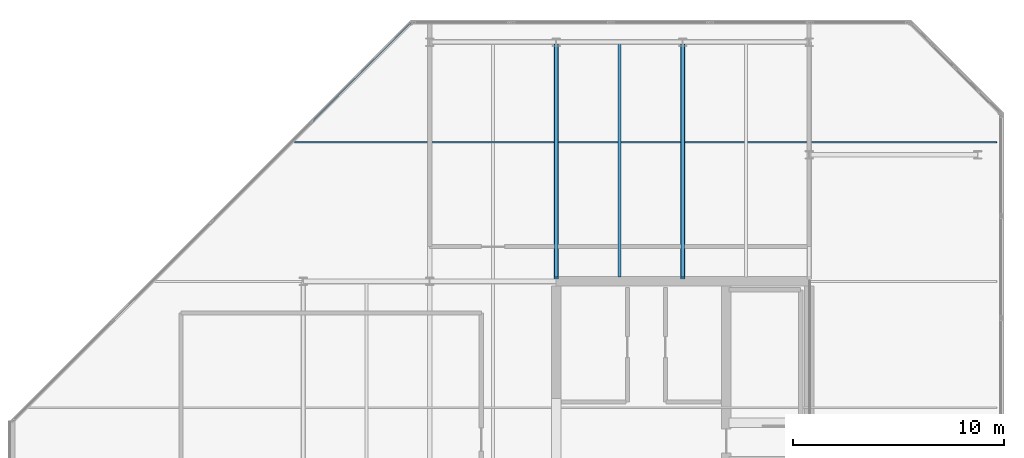
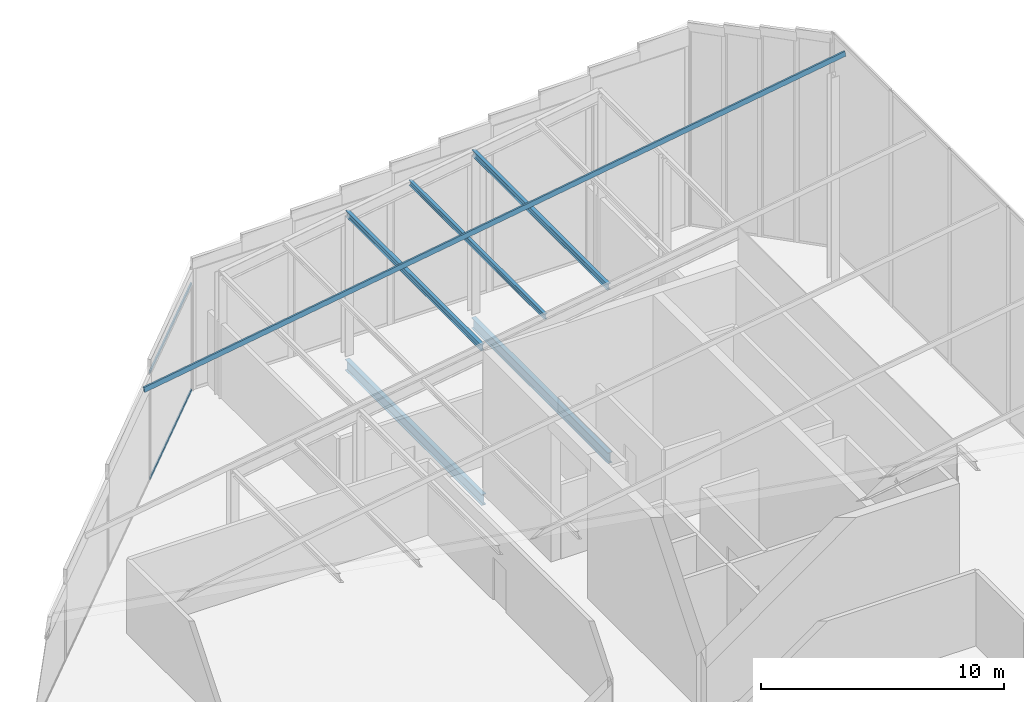
# One storey, part 16 of 30: 6 members, 2 beams, 1 element without a shape of its own.
"""IFC4 building model written with IfcOpenShell, lengths in metres."""

import ifcopenshell
import ifcopenshell.guid

model = None  # the IFC model being written
_history = None  # IfcOwnerHistory: only IFC2X3 demands one
_inside = {}  # id of a spatial element -> (the spatial element, [elements in it])
_under = {}  # id of a project, library or spatial element -> (it, [spatial elements below it])
_declared = {}  # id of a project -> (the project, [libraries it declares])
_typed = {}  # id of a type object -> (the type object, [elements of that type])
_made_of = {}  # id of a material, layer set ... -> (it, [elements and type objects made of it])


def new_model(schema):
    """Start an empty IFC model of exactly this schema.

    Asked for "IFC4X3", IfcOpenShell would pick the latest addendum, in which some entities
    have other attributes; the version numbers below select the first issue.
    IFC2X3 requires an IfcOwnerHistory on every rooted entity: one is made here for all.
    """
    global model, _history
    if schema == "IFC4X3":
        model = ifcopenshell.file(schema_version=(4, 3, 0, 0))
    else:
        model = ifcopenshell.file(schema=schema)
    _inside.clear()
    _under.clear()
    _declared.clear()
    _typed.clear()
    _made_of.clear()
    _history = None
    if model.schema == "IFC2X3":
        org = make("IfcOrganization", Name="unknown")
        user = make(
            "IfcPersonAndOrganization",
            ThePerson=make("IfcPerson", FamilyName="unknown"),
            TheOrganization=org,
        )
        app = make(
            "IfcApplication",
            ApplicationDeveloper=org,
            Version="unknown",
            ApplicationFullName="unknown",
            ApplicationIdentifier="unknown",
        )
        _history = make(
            "IfcOwnerHistory",
            OwningUser=user,
            OwningApplication=app,
            ChangeAction="ADDED",
            CreationDate=0,
        )
    return model


def make(cls, **values):
    """One entity of the class cls with the attributes given. An attribute that is None is left unset."""
    return model.create_entity(
        cls, **{name: value for name, value in values.items() if value is not None}
    )


def rooted(cls, **values):
    """An entity with a GlobalId (a new one), such as an element, a storey or a relation."""
    return make(cls, GlobalId=ifcopenshell.guid.new(), OwnerHistory=_history, **values)


def si_unit(unit_type, name, prefix=None):
    """IfcSIUnit, for example si_unit("LENGTHUNIT", "METRE", prefix="MILLI")."""
    return make("IfcSIUnit", UnitType=unit_type, Prefix=prefix, Name=name)


def assignment(units):
    """IfcUnitAssignment: the units of a project."""
    return None if units is None else make("IfcUnitAssignment", Units=units)


def point(xyz):
    """IfcCartesianPoint."""
    return None if xyz is None else make("IfcCartesianPoint", Coordinates=xyz)


def direction(xyz):
    """IfcDirection."""
    return None if xyz is None else make("IfcDirection", DirectionRatios=xyz)


def frame(location, z_axis=None, x_axis=None):
    """IfcAxis2Placement3D, a coordinate frame: its origin and axes. An axis left out is left unset."""
    return make(
        "IfcAxis2Placement3D",
        Location=point(location),
        Axis=direction(z_axis),
        RefDirection=direction(x_axis),
    )


def frame_2d(location, x_axis=None):
    """IfcAxis2Placement2D, a coordinate frame in the plane: its origin and x axis."""
    return make(
        "IfcAxis2Placement2D", Location=point(location), RefDirection=direction(x_axis)
    )


def origin():
    """The frame at (0, 0, 0) with its axes left unset."""
    return frame((0.0, 0.0, 0.0))


def origin_2d():
    """The frame at (0, 0) in the plane with its x axis left unset."""
    return frame_2d((0.0, 0.0))


def place(relative_to, where):
    """IfcLocalPlacement: puts the frame where relative to a parent placement (None: the world)."""
    return make(
        "IfcLocalPlacement", PlacementRelTo=relative_to, RelativePlacement=where
    )


def context(
    kind, dimensions, precision=None, world=None, true_north=None, identifier=None
):
    """IfcGeometricRepresentationContext, for example the 3D "Model" context."""
    return make(
        "IfcGeometricRepresentationContext",
        ContextIdentifier=identifier,
        ContextType=kind,
        CoordinateSpaceDimension=dimensions,
        Precision=precision,
        WorldCoordinateSystem=world,
        TrueNorth=true_north,
    )


def subcontext(parent, identifier, kind, view, scale=None):
    """IfcGeometricRepresentationSubContext, for example "Body" below "Model"."""
    return make(
        "IfcGeometricRepresentationSubContext",
        ContextIdentifier=identifier,
        ContextType=kind,
        ParentContext=parent,
        TargetScale=scale,
        TargetView=view,
    )


def project(units=None, contexts=None):
    """IfcProject with its units and contexts."""
    return rooted(
        "IfcProject",
        Name="project",
        RepresentationContexts=contexts,
        UnitsInContext=assignment(units),
    )


def spatial(cls, under=None, at=None, **own):
    """A site, building, storey or space (cls), placed at a placement, below another one or the project."""
    s = rooted(cls, ObjectPlacement=at, **own)
    if under is not None:
        _under.setdefault(under.id(), (under, []))[1].append(s)
    return s


def profile(cls, at=None, kind="AREA", **sizes):
    """A parametric profile (cls). Its sizes go by their IFC names, for example OverallWidth=200.0."""
    return make(cls, ProfileType=kind, Position=at, **sizes)


def hollow_rectangle(**sizes):
    """IfcRectangleHollowProfileDef."""
    return profile("IfcRectangleHollowProfileDef", **sizes)


def i_section(**sizes):
    """IfcIShapeProfileDef."""
    return profile("IfcIShapeProfileDef", **sizes)


def extrude(swept, where, along, depth):
    """IfcExtrudedAreaSolid: the profile swept, set in the frame where, extruded along a direction by depth."""
    return make(
        "IfcExtrudedAreaSolid",
        SweptArea=swept,
        Position=where,
        ExtrudedDirection=direction(along),
        Depth=depth,
    )


def shape(context_of_items, identifier, shape_type, items):
    """IfcShapeRepresentation: the items that make up one representation, for example the "Body"."""
    return make(
        "IfcShapeRepresentation",
        ContextOfItems=context_of_items,
        RepresentationIdentifier=identifier,
        RepresentationType=shape_type,
        Items=items,
    )


def material(Name=None, Category=None):
    """IfcMaterial."""
    return make("IfcMaterial", Name=Name, Category=Category)


def layer(
    of_material, thickness, ventilated=None, Name=None, Category=None, Priority=None
):
    """IfcMaterialLayer: one layer of a wall or slab, of a material (None: an air gap)."""
    return make(
        "IfcMaterialLayer",
        Material=of_material,
        LayerThickness=thickness,
        IsVentilated=ventilated,
        Name=Name,
        Category=Category,
        Priority=Priority,
    )


def layer_set(layers, Name=None):
    """IfcMaterialLayerSet."""
    return make("IfcMaterialLayerSet", MaterialLayers=layers, LayerSetName=Name)


def material_profile(
    of_material, cross_section, Name=None, Category=None, Priority=None
):
    """IfcMaterialProfile: a cross section and its material."""
    return make(
        "IfcMaterialProfile",
        Name=Name,
        Material=of_material,
        Profile=cross_section,
        Priority=Priority,
        Category=Category,
    )


def profile_set(profiles, Name=None, composite=None):
    """IfcMaterialProfileSet."""
    return make(
        "IfcMaterialProfileSet",
        Name=Name,
        MaterialProfiles=profiles,
        CompositeProfile=composite,
    )


def made_of(thing, what):
    """Note that an element or type object is made of a material, layer set ...; save() writes the relation."""
    if what is not None:
        _made_of.setdefault(what.id(), (what, []))[1].append(thing)
    return thing


def type_object(cls, material=None, **own):
    """A type object (cls), such as IfcWallType, which elements share."""
    return made_of(rooted(cls, **own), material)


def element(
    cls,
    number,
    at=None,
    inside=None,
    cuts=None,
    type_object=None,
    material=None,
    context=None,
    identifier="Body",
    shape_type=None,
    held_by="IfcProductDefinitionShape",
    body=None,
    shapes=None,
    **own,
):
    """One element of the class cls, such as IfcWall. Its Tag is "e" and its number.

    at: its placement. inside: the storey or other place that contains it. cuts: it is an
    opening in that element (IfcRelVoidsElement). A single representation is given by context,
    identifier, shape_type and body (its items); several are given by shapes. held_by: the class
    of the entity that holds the representations. save() writes the other relations.
    """
    e = rooted(cls, Tag="e%d" % number, ObjectPlacement=at, **own)
    if body is not None:
        shapes = [shape(context, identifier, shape_type, body)]
    if shapes is not None:
        e.Representation = make(held_by, Representations=shapes)
    if inside is not None:
        _inside.setdefault(inside.id(), (inside, []))[1].append(e)
    if cuts is not None:
        rooted(
            "IfcRelVoidsElement", RelatingBuildingElement=cuts, RelatedOpeningElement=e
        )
    if type_object is not None:
        _typed.setdefault(type_object.id(), (type_object, []))[1].append(e)
    return made_of(e, material)


def aggregate(whole, parts):
    """IfcRelAggregates: a whole, such as a stair, and the parts it consists of."""
    return rooted("IfcRelAggregates", RelatingObject=whole, RelatedObjects=parts)


def save(model, path):
    """Write the relations noted so far, then the file.

    IfcRelAggregates (storeys below a building ...), IfcRelContainedInSpatialStructure (elements
    in a storey), IfcRelDefinesByType, IfcRelAssociatesMaterial and IfcRelDeclares: one each for
    every whole, place, type object, material and project.
    """
    for whole, parts in _under.values():
        aggregate(whole, parts)
    for where, things in _inside.values():
        rooted(
            "IfcRelContainedInSpatialStructure",
            RelatedElements=things,
            RelatingStructure=where,
        )
    for kind, things in _typed.values():
        rooted("IfcRelDefinesByType", RelatedObjects=things, RelatingType=kind)
    for what, things in _made_of.values():
        rooted("IfcRelAssociatesMaterial", RelatedObjects=things, RelatingMaterial=what)
    for by, libraries in _declared.values():
        rooted("IfcRelDeclares", RelatingContext=by, RelatedDefinitions=libraries)
    model.write(path)


model = new_model("IFC4")

# Units and contexts
model_context = context("Model", 3, precision=1e-05, world=origin(), true_north=direction((0.0, 1.0)))
body_context = subcontext(model_context, "Body", "Model", "MODEL_VIEW")
ifc_project = project(units=[si_unit("LENGTHUNIT", "METRE"), si_unit("AREAUNIT", "SQUARE_METRE"), si_unit("VOLUMEUNIT", "CUBIC_METRE"), si_unit("PLANEANGLEUNIT", "RADIAN"), si_unit("MASSUNIT", "GRAM", prefix="KILO")], contexts=[model_context])

# Site, building, storey
site_placement = place(None, origin())
site = spatial("IfcSite", under=ifc_project, at=site_placement, CompositionType="ELEMENT")
building_placement = place(site_placement, origin())
building = spatial("IfcBuilding", under=site, at=building_placement, Name="Tanjung Sevakor Pilgrim Tower", CompositionType="ELEMENT")
storey_placement = place(building_placement, frame((0.0, 0.0, 287.760009765625)))
storey = spatial("IfcBuildingStorey", under=building, at=storey_placement, Name="L80", CompositionType="ELEMENT", Elevation=287.760009765625)

# Beams
ifc_material_1 = material(Name="Steel S355J2", Category="steel")
ifc_material_profile_1 = material_profile(ifc_material_1, i_section(OverallWidth=0.210693359375, OverallDepth=0.53955078125, WebThickness=0.01171875, FlangeThickness=0.018798828125, FilletRadius=0.0126953125, at=origin_2d()))
ifc_profile_set_1 = profile_set([ifc_material_profile_1], Name="Steel S355J2")
beam_type = type_object("IfcBeamType", Name="BM-B-G6-UB_533x210x109", PredefinedType="BEAM", material=ifc_profile_set_1)
for number, where, z_axis, x_axis, name in (
    (1, (78.0, 42.7060546875, -0.52978515625), (0.0, 1.0, 0.0), (-1.0, 0.0, 0.0), "L80 EAST Girder 006"),
    (2, (84.0, 42.7060546875, -0.52978515625), (0.0, 1.0, 0.0), (-1.0, 0.0, 0.0), "L80 EAST Girder 008"),
):
    element("IfcBeam", number, at=place(storey_placement, frame(where, z_axis=z_axis, x_axis=x_axis)), inside=storey, type_object=beam_type, Name=name, PredefinedType="BEAM", context=body_context, shape_type="SweptSolid", body=[
        extrude(i_section(OverallWidth=0.210693359375, OverallDepth=0.53955078125, WebThickness=0.01171875, FlangeThickness=0.018798828125, FilletRadius=0.0126953125, at=origin_2d()), origin(), (0.0, 0.0, 1.0), 11.243896484375),
    ])

# Members
ifc_material_2 = material(Name="Steel S355J2", Category="steel")
ifc_material_profile_2 = material_profile(ifc_material_2, i_section(OverallWidth=0.165771484375, OverallDepth=0.306640625, WebThickness=0.006591796875, FlangeThickness=0.01171875, FilletRadius=0.0087890625, at=origin_2d()))
ifc_profile_set_2 = profile_set([ifc_material_profile_2], Name="Steel S355J2")
member_type_1 = type_object("IfcMemberType", Name="MEM-M-PR1-UB_305x165x46", PredefinedType="PURLIN", material=ifc_profile_set_2)
for number, where, z_axis, x_axis, name in (
    (3, (78.0, 42.800048828125, 7.055908203125), (0.0, 1.0, 0.0), (-1.0, 0.0, 0.0), "L80 Crown Roof Purlin 06"),
    (4, (84.0, 42.800048828125, 7.99853515625), (0.0, 1.0, 0.0), (-1.0, 0.0, 0.0), "L80 Crown Roof Purlin 10"),
):
    element("IfcMember", number, at=place(storey_placement, frame(where, z_axis=z_axis, x_axis=x_axis)), inside=storey, type_object=member_type_1, Name=name, PredefinedType="PURLIN", context=body_context, shape_type="SweptSolid", body=[
        extrude(i_section(OverallWidth=0.165771484375, OverallDepth=0.306640625, WebThickness=0.006591796875, FlangeThickness=0.01171875, FilletRadius=0.0087890625, at=origin_2d()), origin(), (0.0, 0.0, 1.0), 11.14990234375),
    ])
ifc_material_3 = material(Name="Steel S355J2", Category="steel")
ifc_material_profile_3 = material_profile(ifc_material_3, i_section(OverallWidth=0.146484375, OverallDepth=0.256103515625, WebThickness=0.00634765625, FlangeThickness=0.010986328125, FilletRadius=0.007568359375, at=origin_2d()))
ifc_profile_set_3 = profile_set([ifc_material_profile_3], Name="Steel S355J2")
member_type_2 = type_object("IfcMemberType", Name="MEM-M-PR2-UB_254x146x37", PredefinedType="PURLIN", material=ifc_profile_set_3)
member_1_placement = place(storey_placement, frame((81.0, 42.800048828125, 7.552490234375), z_axis=(0.0, 1.0, 0.0), x_axis=(-1.0, 0.0, 0.0)))
element("IfcMember", 5, at=member_1_placement, inside=storey, type_object=member_type_2, Name="L80 Crown Roof Purlin 08", PredefinedType="PURLIN", context=body_context, shape_type="SweptSolid", body=[
    extrude(i_section(OverallWidth=0.146484375, OverallDepth=0.256103515625, WebThickness=0.00634765625, FlangeThickness=0.010986328125, FilletRadius=0.007568359375, at=origin_2d()), origin(), (0.0, 0.0, 1.0), 11.14990234375),
])
ifc_material_4 = material(Name="Aluminium 6063-T6", Category="aluminium")
ifc_material_profile_4 = material_profile(ifc_material_4, hollow_rectangle(XDim=0.080078125, YDim=0.260009765625, WallThickness=0.0048828125, at=origin_2d()))
ifc_profile_set_4 = profile_set([ifc_material_profile_4], Name="Aluminium 6063-T6")
member_type_3 = type_object("IfcMemberType", Name="TYPE-CRN-GLZBAR", PredefinedType="PURLIN", material=ifc_profile_set_4)
member_2_placement = place(storey_placement, frame((65.60009765625, 49.199951171875, 5.40087890625), z_axis=(0.987881187119, 0.0, 0.155211984515), x_axis=(0.0, 1.0, 0.0)))
element("IfcMember", 6, at=member_2_placement, inside=storey, type_object=member_type_3, Name="East Peak Sloped Glass Roof Glazing Bar 6", PredefinedType="PURLIN", context=body_context, shape_type="SweptSolid", body=[
    extrude(hollow_rectangle(XDim=0.080078125, YDim=0.260009765625, WallThickness=0.0048828125, at=origin_2d()), origin(), (0.0, 0.0, 1.0), 33.708251953125),
])

# Curtain wall, members
ifc_material_5 = material(Name="Aluminium 6063-T6 and Low-E Glass", Category="aluminium")
ifc_layer = layer(ifc_material_5, 0.179931640625)
ifc_layer_set = layer_set([ifc_layer], Name="CW-SYS-CHAM")
curtain_wall_type = type_object("IfcCurtainWallType", Name="CW-SYS-CHAM", PredefinedType="NOTDEFINED", material=ifc_layer_set)
curtain_wall_placement = place(storey_placement, origin())
curtain_wall = element("IfcCurtainWall", 7, at=curtain_wall_placement, inside=storey, type_object=curtain_wall_type, Name="L80 Curtain Wall CW-CHM-L80-EAST-5B1", PredefinedType="NOTDEFINED")
ifc_material_6 = material(Name="Aluminium 6063-T6", Category="aluminium")
ifc_material_profile_5 = material_profile(ifc_material_6, hollow_rectangle(XDim=0.06494140625, YDim=0.139892578125, WallThickness=0.00390625, at=origin_2d()))
ifc_profile_set_5 = profile_set([ifc_material_profile_5], Name="Aluminium 6063-T6")
member_type_4 = type_object("IfcMemberType", Name="TYPE-CWT-1", PredefinedType="USERDEFINED", material=ifc_profile_set_5)
member_3_placement = place(storey_placement, frame((71.099609375, 54.843994140625, 0.032470703125), z_axis=(-0.707106781187, -0.707106781187, 0.0), x_axis=(0.707106781187, -0.707106781187, 0.0)))
member_3 = element("IfcMember", 8, at=member_3_placement, type_object=member_type_4, Name="CW-CHM transom 1.1", ObjectType="TRANSOM", PredefinedType="USERDEFINED", context=body_context, shape_type="SweptSolid", body=[
    extrude(hollow_rectangle(XDim=0.06494140625, YDim=0.139892578125, WallThickness=0.00390625, at=origin_2d()), origin(), (0.0, 0.0, 1.0), 6.564453125),
])
member_4_placement = place(storey_placement, frame((71.099609375, 54.843994140625, 5.3759765625), z_axis=(-0.707106781187, -0.707106781187, 0.0), x_axis=(0.707106781187, -0.707106781187, 0.0)))
member_4 = element("IfcMember", 9, at=member_4_placement, type_object=member_type_4, Name="CW-CHM transom 1.2", ObjectType="TRANSOM", PredefinedType="USERDEFINED", context=body_context, shape_type="SweptSolid", body=[
    extrude(hollow_rectangle(XDim=0.06494140625, YDim=0.139892578125, WallThickness=0.00390625, at=origin_2d()), origin(), (0.0, 0.0, 1.0), 6.564453125),
])
aggregate(curtain_wall, [member_3, member_4])

save(model, "model.ifc")
